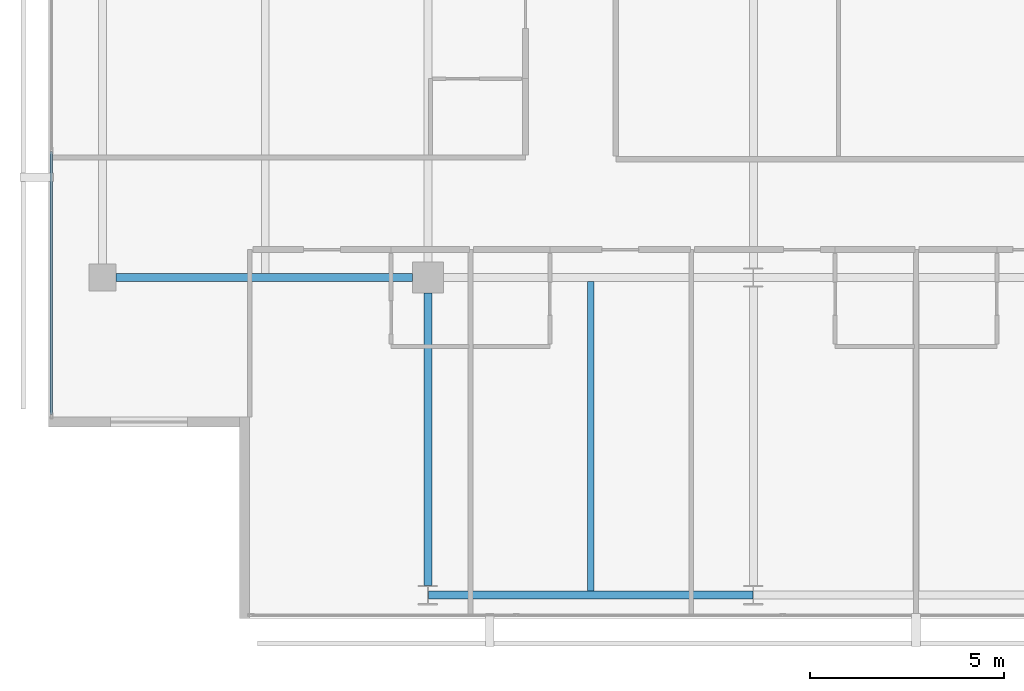
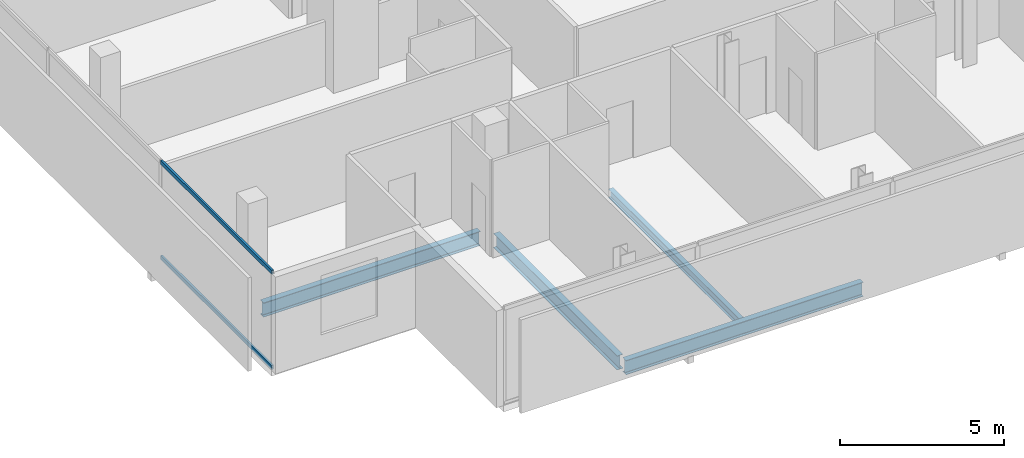
# One storey, part 3 of 25: 4 beams, 2 members, 1 element without a shape of its own.
"""IFC4 building model written with IfcOpenShell, lengths in metres."""

from ifc_helpers import new_model, si_unit, direction, frame, origin, origin_2d, place, context, subcontext, project, spatial, hollow_rectangle, i_section, extrude, material, layer, layer_set, material_profile, profile_set, type_object, element, aggregate, save


model = new_model("IFC4")

# Units and contexts
model_context = context("Model", 3, precision=1e-05, world=origin(), true_north=direction((0.0, 1.0)))
body_context = subcontext(model_context, "Body", "Model", "MODEL_VIEW")
ifc_project = project(units=[si_unit("LENGTHUNIT", "METRE"), si_unit("AREAUNIT", "SQUARE_METRE"), si_unit("VOLUMEUNIT", "CUBIC_METRE"), si_unit("PLANEANGLEUNIT", "RADIAN"), si_unit("MASSUNIT", "GRAM", prefix="KILO")], contexts=[model_context])

# Site, building, storey
site_placement = place(None, origin())
site = spatial("IfcSite", under=ifc_project, at=site_placement, CompositionType="ELEMENT")
building_placement = place(site_placement, origin())
building = spatial("IfcBuilding", under=site, at=building_placement, Name="Maruvema Waterfront Hotel and Observation Tower", CompositionType="ELEMENT")
storey_placement = place(building_placement, frame((0.0, 0.0, 247.10009765625)))
storey = spatial("IfcBuildingStorey", under=building, at=storey_placement, Name="L60", CompositionType="ELEMENT", Elevation=247.10009765625)

# Curtain wall, members
ifc_material_1 = material(Name="Anodised bronze aluminium and solar-control low-E IGU", Category="aluminium")
ifc_layer = layer(ifc_material_1, 0.159912109375, Name="Zone 3 Champagne Inner Thermal Curtain Wall System CW-04")
ifc_layer_set = layer_set([ifc_layer], Name="Anodised bronze aluminium and solar-control low-E IGU")
curtain_wall_type = type_object("IfcCurtainWallType", Name="Zone 3 Champagne Inner Thermal Curtain Wall System CW-04", PredefinedType="USERDEFINED", material=ifc_layer_set)
curtain_wall_placement = place(storey_placement, origin())
curtain_wall = element("IfcCurtainWall", 1, at=curtain_wall_placement, inside=storey, type_object=curtain_wall_type, Name="L60 Curtain Wall CW-L60-W", ObjectType="UNITISED CURTAIN WALL", PredefinedType="USERDEFINED")
ifc_material_2 = material(Name="Anodised architectural bronze aluminium", Category="aluminium")
ifc_material_profile_1 = material_profile(ifc_material_2, hollow_rectangle(XDim=0.070068359375, YDim=0.14990234375, WallThickness=0.00390625, at=origin_2d()), Name="ALU-T70x150")
ifc_profile_set_1 = profile_set([ifc_material_profile_1], Name="Anodised architectural bronze aluminium")
member_type = type_object("IfcMemberType", Name="Curtain Wall Horizontal Transom ALU-T70x150", PredefinedType="USERDEFINED", material=ifc_profile_set_1)
member_1_placement = place(storey_placement, frame((15.47998046875, 21.25, 0.02978515625), z_axis=(0.0, -1.0, 0.0), x_axis=(1.0, 0.0, 0.0)))
member_1 = element("IfcMember", 2, at=member_1_placement, type_object=member_type, Name="CW-04 transom 5.1", ObjectType="TRANSOM", PredefinedType="USERDEFINED", context=body_context, shape_type="SweptSolid", body=[
    extrude(hollow_rectangle(XDim=0.070068359375, YDim=0.14990234375, WallThickness=0.00390625, at=origin_2d()), origin(), (0.0, 0.0, 1.0), 6.7900390625),
])
member_2_placement = place(storey_placement, frame((15.47998046875, 21.25, 3.579833984375), z_axis=(0.0, -1.0, 0.0), x_axis=(1.0, 0.0, 0.0)))
member_2 = element("IfcMember", 3, at=member_2_placement, type_object=member_type, Name="CW-04 transom 5.2", ObjectType="TRANSOM", PredefinedType="USERDEFINED", context=body_context, shape_type="SweptSolid", body=[
    extrude(hollow_rectangle(XDim=0.070068359375, YDim=0.14990234375, WallThickness=0.00390625, at=origin_2d()), origin(), (0.0, 0.0, 1.0), 6.7900390625),
])
aggregate(curtain_wall, [member_1, member_2])

# Beams
ifc_material_3 = material(Name="Steel ASTM A572 Grade 50", Category="steel")
ifc_material_profile_2 = material_profile(ifc_material_3, i_section(OverallWidth=0.208984375, OverallDepth=0.532958984375, WebThickness=0.01025390625, FlangeThickness=0.015625, FilletRadius=0.014892578125, at=origin_2d()), Name="W530x92.0")
ifc_profile_set_2 = profile_set([ifc_material_profile_2], Name="Steel ASTM A572 Grade 50")
beam_type_1 = type_object("IfcBeamType", Name="Primary Floor Girder W530x92.0", PredefinedType="BEAM", material=ifc_profile_set_2)
beam_1_placement = place(storey_placement, frame((25.2109375, 9.800048828125, -0.506591796875), z_axis=(1.0, 0.0, 0.0), x_axis=(0.0, 1.0, 0.0)))
element("IfcBeam", 4, at=beam_1_placement, inside=storey, type_object=beam_type_1, Name="L60 Floor Girder EW-01", PredefinedType="BEAM", context=body_context, shape_type="SweptSolid", body=[
    extrude(i_section(OverallWidth=0.208984375, OverallDepth=0.532958984375, WebThickness=0.01025390625, FlangeThickness=0.015625, FilletRadius=0.014892578125, at=origin_2d()), origin(), (0.0, 0.0, 1.0), 8.378173828125),
])
beam_2_placement = place(storey_placement, frame((17.14990234375, 18.0, -0.506591796875), z_axis=(1.0, 0.0, 0.0), x_axis=(0.0, 1.0, 0.0)))
element("IfcBeam", 5, at=beam_2_placement, inside=storey, type_object=beam_type_1, Name="L60 Floor Girder EW-04", PredefinedType="BEAM", context=body_context, shape_type="SweptSolid", body=[
    extrude(i_section(OverallWidth=0.208984375, OverallDepth=0.532958984375, WebThickness=0.01025390625, FlangeThickness=0.015625, FilletRadius=0.014892578125, at=origin_2d()), origin(), (0.0, 0.0, 1.0), 7.650146484375),
])
beam_3_placement = place(storey_placement, frame((25.199951171875, 10.050048828125, -0.506591796875), z_axis=(0.0, 1.0, 0.0), x_axis=(-1.0, 0.0, 0.0)))
element("IfcBeam", 6, at=beam_3_placement, inside=storey, type_object=beam_type_1, Name="L60 Floor Girder NS-04", PredefinedType="BEAM", context=body_context, shape_type="SweptSolid", body=[
    extrude(i_section(OverallWidth=0.208984375, OverallDepth=0.532958984375, WebThickness=0.01025390625, FlangeThickness=0.015625, FilletRadius=0.014892578125, at=origin_2d()), origin(), (0.0, 0.0, 1.0), 7.550048828125),
])
ifc_material_4 = material(Name="Steel ASTM A572 Grade 50", Category="steel")
ifc_material_profile_3 = material_profile(ifc_material_4, i_section(OverallWidth=0.1669921875, OverallDepth=0.31689453125, WebThickness=0.007568359375, FlangeThickness=0.01318359375, FilletRadius=0.012939453125, at=origin_2d()), Name="W310x52.0")
ifc_profile_set_3 = profile_set([ifc_material_profile_3], Name="Steel ASTM A572 Grade 50")
beam_type_2 = type_object("IfcBeamType", Name="Secondary Floor Joist W310x52.0", PredefinedType="JOIST", material=ifc_profile_set_3)
beam_4_placement = place(storey_placement, frame((29.39990234375, 9.904541015625, -0.398681640625), z_axis=(0.0, 1.0, 0.0), x_axis=(-1.0, 0.0, 0.0)))
element("IfcBeam", 7, at=beam_4_placement, inside=storey, type_object=beam_type_2, Name="L60 Secondary Floor Joist JS-04", PredefinedType="JOIST", context=body_context, shape_type="SweptSolid", body=[
    extrude(i_section(OverallWidth=0.1669921875, OverallDepth=0.31689453125, WebThickness=0.007568359375, FlangeThickness=0.01318359375, FilletRadius=0.012939453125, at=origin_2d()), origin(), (0.0, 0.0, 1.0), 7.990966796875),
])

save(model, "model.ifc")
